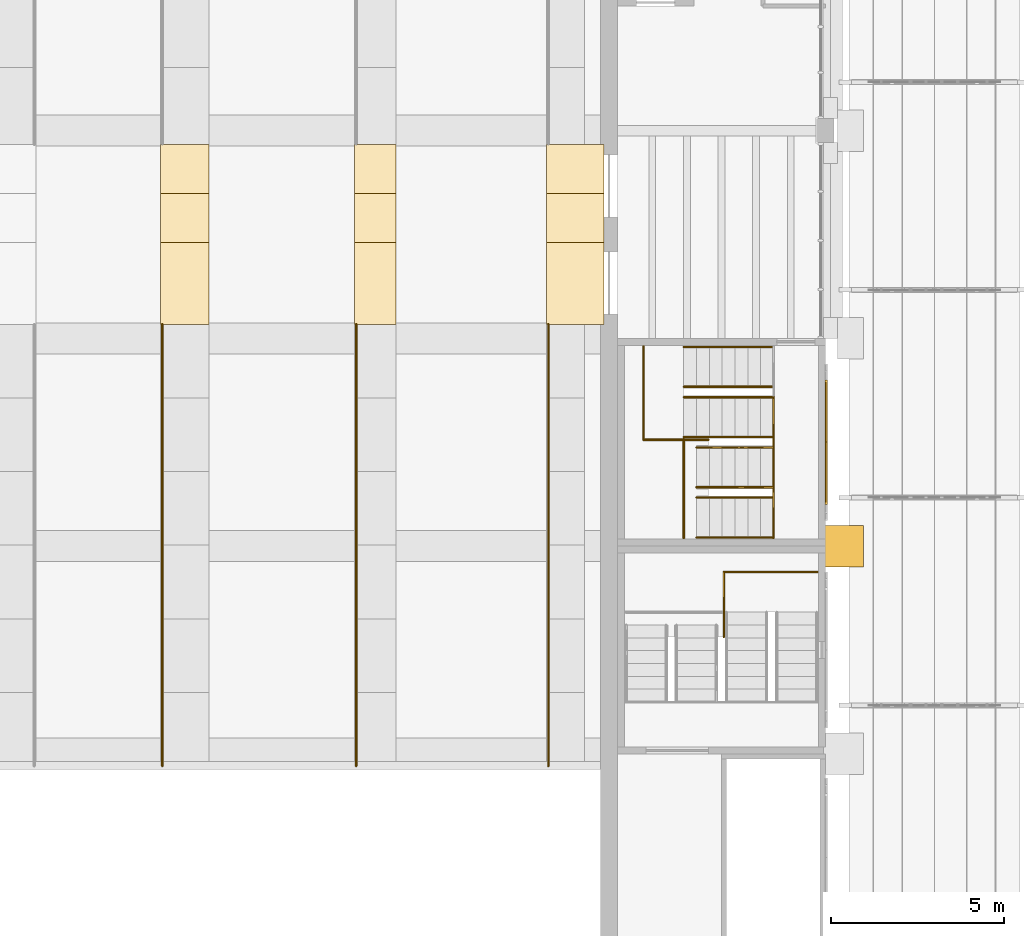
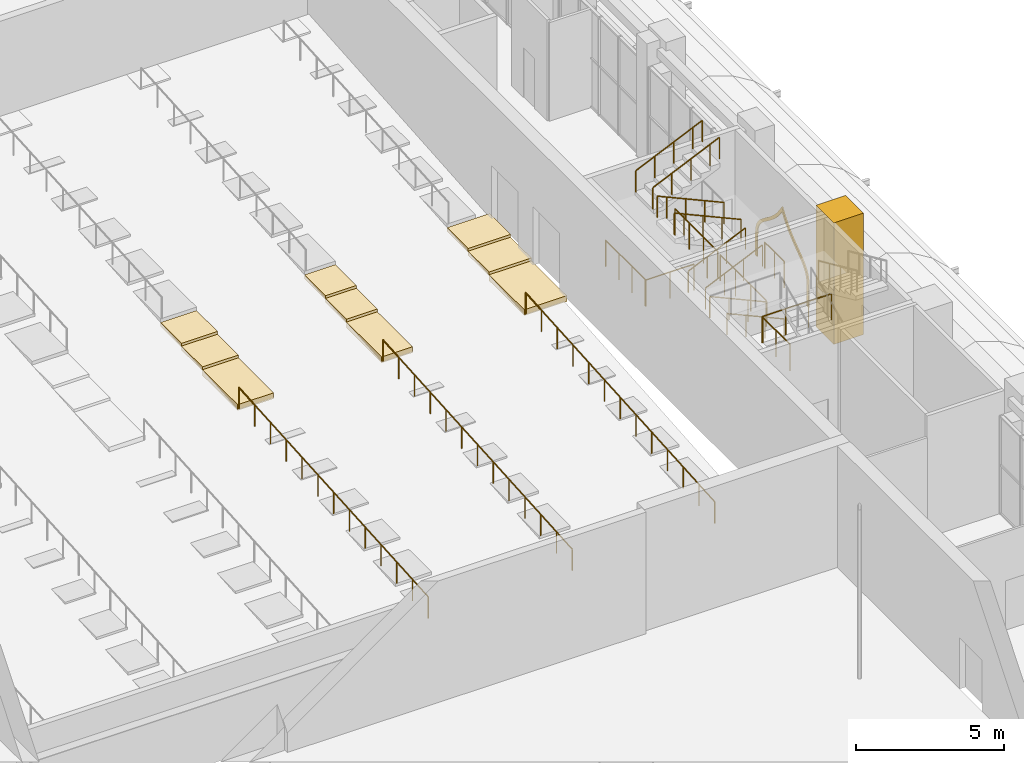
# One storey, part 71 of 80: 18 railings, 11 coverings.
"""IFC4 building model written with IfcOpenShell, lengths in metres."""

from ifc_helpers import new_model, si_unit, direction, frame, origin, origin_2d, place, context, subcontext, project, spatial, polyline, rectangle, circle, outline, extrude, material, layer, layer_set, type_object, element, save


model = new_model("IFC4")

# Units and contexts
model_context = context("Model", 3, precision=1e-05, world=origin(), true_north=direction((0.0, 1.0)))
body_context = subcontext(model_context, "Body", "Model", "MODEL_VIEW")
ifc_project = project(units=[si_unit("LENGTHUNIT", "METRE"), si_unit("AREAUNIT", "SQUARE_METRE"), si_unit("VOLUMEUNIT", "CUBIC_METRE"), si_unit("PLANEANGLEUNIT", "RADIAN"), si_unit("MASSUNIT", "GRAM", prefix="KILO")], contexts=[model_context])

# Site, building, storey
site_placement = place(None, origin())
site = spatial("IfcSite", under=ifc_project, at=site_placement, CompositionType="ELEMENT")
building_placement = place(site_placement, origin())
building = spatial("IfcBuilding", under=site, at=building_placement, Name="Saffron Lane Theatres", CompositionType="ELEMENT")
storey_placement = place(building_placement, frame((0.0, 0.0, 7.0)))
storey = spatial("IfcBuildingStorey", under=building, at=storey_placement, Name="L01", CompositionType="ELEMENT", Elevation=7.0)

# Coverings
ifc_material_1 = material(Name="Masonry sandstone", Category="masonry")
ifc_layer_1 = layer(ifc_material_1, 0.050048828125)
ifc_layer_set_1 = layer_set([ifc_layer_1], Name="Masonry sandstone")
covering_type_1 = type_object("IfcCoveringType", Name="EX-ARCH FRAME RING SANDSTONE 50", PredefinedType="CLADDING", material=ifc_layer_set_1)
covering_1_placement = place(storey_placement, frame((54.0, 67.2099609375, 1.2958984375), z_axis=(-1.0, 0.0, 0.0), x_axis=(0.0, 0.06442827163, 0.997922340573)))
element("IfcCovering", 1, at=covering_1_placement, inside=storey, type_object=covering_type_1, Name="Arch recess ring L01", PredefinedType="CLADDING", context=body_context, shape_type="SweptSolid", body=[
    extrude(outline(polyline([(0.0, 0.0), (0.17052029873114202, 1.734723475976807e-18), (0.3242466721669218, 0.024081254977071236), (0.46344242900309285, 0.06940650212296195), (0.5880131918886352, 0.13451394113409834), (0.7023363221821465, 0.21520657625605405), (0.8097754985831224, 0.31053329351799586), (0.9118316705185227, 0.41721675201932407), (1.013479573024326, 0.5327339305761084), (1.1188295145103184, 0.6563301599259349), (1.228274384393338, 0.786512180648223), (1.3482821771299438, 0.9211498609758806), (1.4813912939168246, 1.0578774753100109), (1.6295508018254126, 1.196569187182587), (1.7967137136804603, 1.3340339934919052), (1.986958878774747, 1.469029958207694), (2.2768445051640707, 1.6467673279258968), (2.012220549731055, 1.8603051727976225), (1.8409137730747478, 2.018643802332316), (1.692815086125706, 2.1764626573449113), (1.563719803123124, 2.333054606794249), (1.4492974018381697, 2.4857634525677375), (1.3475988151994112, 2.6347150311334024), (1.2558025099571002, 2.7778896671794207), (1.167220277835631, 2.914006625097878), (1.0812704747161264, 3.041635563702207), (0.9937798739547866, 3.160556618719107), (0.8994906084625739, 3.2689074104217855), (0.7964927602914423, 3.3636308117286897), (0.6813282733908765, 3.4442161363070785), (0.5491164405301731, 3.5070641116256507), (0.39976288435831203, 3.550712937380834), (0.2306582458924675, 3.5726399419344412), (-0.6634762731268586, 3.630367421641571), (-0.6712152159104848, 3.510499796748517), (0.21902116896597779, 3.4530239899774404), (0.37503252293367106, 3.4329209151187268), (0.50685251501477, 3.394318481277149), (0.6205328306841129, 3.340006413039703), (0.7222114932154338, 3.270322371595594), (0.8140812030640937, 3.185124790918292), (0.8998751087815435, 3.0853958945498916), (0.9836171809786733, 2.9728330766257725), (1.06683213819307, 2.84831649333063), (1.1541962033948943, 2.712278183204689), (1.248122290858553, 2.5679874475964257), (1.3515811898667036, 2.415986431955586), (1.4686755188227527, 2.2591906973371945), (1.6025567821592739, 2.097152126096779), (1.7564159829779704, 1.933823731059093), (1.9331924514444936, 1.7692603909060247), (2.069268862056587, 1.6601689117707128), (1.9202942134717833, 1.569481016084268), (1.723824337759122, 1.4290153595582635), (1.5502402705772806, 1.2868274911490194), (1.396634140877615, 1.143349798942504), (1.2603497505475334, 1.0029128051675502), (1.1382041360374564, 0.8654773607007713), (1.0265036474650626, 0.734462372469297), (0.9223718728987153, 0.6107874953269541), (0.8238363257020991, 0.4980051626752776), (0.7263151602560739, 0.39714513627761755), (0.6284094944910791, 0.3092763270207095), (0.5263470307322774, 0.23659947491203817), (0.41655191601325103, 0.1805686902487979), (0.29683144987863896, 0.14132553905751855), (0.16114198640572697, 0.11999416045256957), (0.0038408086407626125, 0.12011929782910696), (-0.8863955762357, 0.17759510460018418), (-0.8941345190193262, 0.057727479707130096), (0.0, 0.0)])), origin(), (0.0, 0.0, -1.0), 0.050048828125),
])
ifc_material_2 = material(Name="Masonry sandstone", Category="masonry")
ifc_layer_2 = layer(ifc_material_2, 1.199951171875)
ifc_layer_set_2 = layer_set([ifc_layer_2], Name="Masonry sandstone")
covering_type_2 = type_object("IfcCoveringType", Name="EX-FLANK BUTTRESS PIER SANDSTONE 1200", PredefinedType="CLADDING", material=ifc_layer_set_2)
covering_2_placement = place(storey_placement, frame((54.52490234375, 66.0, 0.0), z_axis=(0.0, 0.0, 1.0), x_axis=(0.0, 1.0, 0.0)))
element("IfcCovering", 2, at=covering_2_placement, inside=storey, type_object=covering_type_2, Name="Flank buttress east L01", PredefinedType="CLADDING", context=body_context, shape_type="SweptSolid", body=[
    extrude(rectangle(XDim=1.199951171875, YDim=1.14990234375, at=origin_2d()), origin(), (0.0, 0.0, 1.0), 5.0),
])
ifc_material_3 = material(Name="Cement screed", Category="screed")
covering_type_3 = type_object("IfcCoveringType", Name="VC-AISLE PLATFORM", PredefinedType="FLOORING", material=ifc_material_3)
covering_3_placement = place(storey_placement, frame((0.0, 0.0, -0.258056640625)))
element("IfcCovering", 3, at=covering_3_placement, inside=storey, type_object=covering_type_3, Name="Stalls aisle 4 part 1 landing 1", PredefinedType="FLOORING", context=body_context, shape_type="SweptSolid", body=[
    extrude(outline(polyline([(34.800048828125, 72.39990234375), (36.199951171875, 72.39990234375), (36.199951171875, 74.77490234375), (34.800048828125, 74.77490234375), (34.800048828125, 72.39990234375)])), origin(), (0.0, 0.0, 1.0), 0.239990234375),
])
covering_4_placement = place(storey_placement, frame((0.0, 0.0, -0.068115234375)))
element("IfcCovering", 4, at=covering_4_placement, inside=storey, type_object=covering_type_3, Name="Stalls aisle 4 part 1 landing 2", PredefinedType="FLOORING", context=body_context, shape_type="SweptSolid", body=[
    extrude(outline(polyline([(34.800048828125, 74.77490234375), (36.199951171875, 74.77490234375), (36.199951171875, 76.1875), (34.800048828125, 76.1875), (34.800048828125, 74.77490234375)])), origin(), (0.0, 0.0, 1.0), 0.1630859375),
])
covering_5_placement = place(storey_placement, frame((0.0, 0.0, 0.044921875)))
element("IfcCovering", 5, at=covering_5_placement, inside=storey, type_object=covering_type_3, Name="Stalls aisle 4 part 1 landing 3", PredefinedType="FLOORING", context=body_context, shape_type="SweptSolid", body=[
    extrude(outline(polyline([(34.800048828125, 76.1875), (36.199951171875, 76.1875), (36.199951171875, 77.60009765625), (34.800048828125, 77.60009765625), (34.800048828125, 76.1875)])), origin(), (0.0, 0.0, 1.0), 0.1630859375),
])
covering_6_placement = place(storey_placement, frame((0.0, 0.0, -0.258056640625)))
element("IfcCovering", 6, at=covering_6_placement, inside=storey, type_object=covering_type_3, Name="Stalls aisle 5 part 1 landing 1", PredefinedType="FLOORING", context=body_context, shape_type="SweptSolid", body=[
    extrude(outline(polyline([(40.39990234375, 72.39990234375), (41.60009765625, 72.39990234375), (41.60009765625, 74.77490234375), (40.39990234375, 74.77490234375), (40.39990234375, 72.39990234375)])), origin(), (0.0, 0.0, 1.0), 0.239990234375),
])
covering_7_placement = place(storey_placement, frame((0.0, 0.0, -0.068115234375)))
element("IfcCovering", 7, at=covering_7_placement, inside=storey, type_object=covering_type_3, Name="Stalls aisle 5 part 1 landing 2", PredefinedType="FLOORING", context=body_context, shape_type="SweptSolid", body=[
    extrude(outline(polyline([(40.39990234375, 74.77490234375), (41.60009765625, 74.77490234375), (41.60009765625, 76.1875), (40.39990234375, 76.1875), (40.39990234375, 74.77490234375)])), origin(), (0.0, 0.0, 1.0), 0.1630859375),
])
covering_8_placement = place(storey_placement, frame((0.0, 0.0, 0.044921875)))
element("IfcCovering", 8, at=covering_8_placement, inside=storey, type_object=covering_type_3, Name="Stalls aisle 5 part 1 landing 3", PredefinedType="FLOORING", context=body_context, shape_type="SweptSolid", body=[
    extrude(outline(polyline([(40.39990234375, 76.1875), (41.60009765625, 76.1875), (41.60009765625, 77.60009765625), (40.39990234375, 77.60009765625), (40.39990234375, 76.1875)])), origin(), (0.0, 0.0, 1.0), 0.1630859375),
])
covering_9_placement = place(storey_placement, frame((0.0, 0.0, -0.258056640625)))
element("IfcCovering", 9, at=covering_9_placement, inside=storey, type_object=covering_type_3, Name="Stalls aisle 6 part 1 landing 1", PredefinedType="FLOORING", context=body_context, shape_type="SweptSolid", body=[
    extrude(outline(polyline([(45.949951171875, 72.39990234375), (47.60009765625, 72.39990234375), (47.60009765625, 74.77490234375), (45.949951171875, 74.77490234375), (45.949951171875, 72.39990234375)])), origin(), (0.0, 0.0, 1.0), 0.239990234375),
])
covering_10_placement = place(storey_placement, frame((0.0, 0.0, -0.068115234375)))
element("IfcCovering", 10, at=covering_10_placement, inside=storey, type_object=covering_type_3, Name="Stalls aisle 6 part 1 landing 2", PredefinedType="FLOORING", context=body_context, shape_type="SweptSolid", body=[
    extrude(outline(polyline([(45.949951171875, 74.77490234375), (47.60009765625, 74.77490234375), (47.60009765625, 76.1875), (45.949951171875, 76.1875), (45.949951171875, 74.77490234375)])), origin(), (0.0, 0.0, 1.0), 0.1630859375),
])
covering_11_placement = place(storey_placement, frame((0.0, 0.0, 0.044921875)))
element("IfcCovering", 11, at=covering_11_placement, inside=storey, type_object=covering_type_3, Name="Stalls aisle 6 part 1 landing 3", PredefinedType="FLOORING", context=body_context, shape_type="SweptSolid", body=[
    extrude(outline(polyline([(45.949951171875, 76.1875), (47.60009765625, 76.1875), (47.60009765625, 77.60009765625), (45.949951171875, 77.60009765625), (45.949951171875, 76.1875)])), origin(), (0.0, 0.0, 1.0), 0.1630859375),
])

# Railings
ifc_material_4 = material(Name="Steel Grade 350", Category="steel")
railing_type_1 = type_object("IfcRailingType", Name="VC-GUARD 1100", PredefinedType="GUARDRAIL", material=ifc_material_4)
railing_1_placement = place(storey_placement, frame((48.75, 69.10009765625, 1.166748046875)))
element("IfcRailing", 12, at=railing_1_placement, inside=storey, type_object=railing_type_1, Name="Auditorium East Rear Stair landing guard 2N1s", PredefinedType="GUARDRAIL", context=body_context, shape_type="SweptSolid", body=[
    extrude(circle(Radius=0.02392578125, at=origin_2d()), frame((0.0, 0.0, 1.076171875), z_axis=(0.0, 1.0, 0.0), x_axis=(-1.0, 0.0, 0.0)), (0.0, 0.0, 1.0), 2.669921875),
    extrude(circle(Radius=0.02099609375, at=origin_2d()), origin(), (0.0, 0.0, 1.0), 1.052001953125),
    extrude(circle(Radius=0.02099609375, at=origin_2d()), frame((0.0, 0.889892578125, 0.0)), (0.0, 0.0, 1.0), 1.052001953125),
    extrude(circle(Radius=0.02099609375, at=origin_2d()), frame((0.0, 1.780029296875, 0.0)), (0.0, 0.0, 1.0), 1.052001953125),
    extrude(circle(Radius=0.02099609375, at=origin_2d()), frame((0.0, 2.669921875, 0.0)), (0.0, 0.0, 1.0), 1.052001953125),
])
railing_2_placement = place(storey_placement, frame((50.6298828125, 69.070068359375, 1.166748046875)))
element("IfcRailing", 13, at=railing_2_placement, inside=storey, type_object=railing_type_1, Name="Auditorium East Rear Stair landing guard 2N1e", PredefinedType="GUARDRAIL", context=body_context, shape_type="SweptSolid", body=[
    extrude(circle(Radius=0.02392578125, at=origin_2d()), frame((0.0, 0.0, 1.076171875), z_axis=(-1.0, 0.0, 0.0), x_axis=(0.0, -1.0, 0.0)), (0.0, 0.0, 1.0), 1.8798828125),
    extrude(circle(Radius=0.02099609375, at=origin_2d()), origin(), (0.0, 0.0, 1.0), 1.052001953125),
    extrude(circle(Radius=0.02099609375, at=origin_2d()), frame((-0.93994140625, 0.0, 0.0)), (0.0, 0.0, 1.0), 1.052001953125),
    extrude(circle(Radius=0.02099609375, at=origin_2d()), frame((-1.8798828125, 0.0, 0.0)), (0.0, 0.0, 1.0), 1.052001953125),
])
railing_3_placement = place(storey_placement, frame((49.909912109375, 66.22998046875, 3.666748046875)))
element("IfcRailing", 14, at=railing_3_placement, inside=storey, type_object=railing_type_1, Name="Auditorium East Rear Stair landing guard 2N2s", PredefinedType="GUARDRAIL", context=body_context, shape_type="SweptSolid", body=[
    extrude(circle(Radius=0.02392578125, at=origin_2d()), frame((0.0, 0.0, 1.076171875), z_axis=(0.0, 1.0, 0.0), x_axis=(-1.0, 0.0, 0.0)), (0.0, 0.0, 1.0), 2.8701171875),
    extrude(circle(Radius=0.02099609375, at=origin_2d()), origin(), (0.0, 0.0, 1.0), 1.052001953125),
    extrude(circle(Radius=0.02099609375, at=origin_2d()), frame((0.0, 0.956787109375, 0.0)), (0.0, 0.0, 1.0), 1.052001953125),
    extrude(circle(Radius=0.02099609375, at=origin_2d()), frame((0.0, 1.913330078125, 0.0)), (0.0, 0.0, 1.0), 1.052001953125),
    extrude(circle(Radius=0.02099609375, at=origin_2d()), frame((0.0, 2.8701171875, 0.0)), (0.0, 0.0, 1.0), 1.052001953125),
])
railing_4_placement = place(storey_placement, frame((52.5, 66.22998046875, 2.333251953125)))
element("IfcRailing", 15, at=railing_4_placement, inside=storey, type_object=railing_type_1, Name="Auditorium East Rear Stair landing guard 2S2w", PredefinedType="GUARDRAIL", context=body_context, shape_type="SweptSolid", body=[
    extrude(circle(Radius=0.02392578125, at=origin_2d()), frame((0.0, 0.0, 1.076171875), z_axis=(0.0, 1.0, 0.0), x_axis=(-1.0, 0.0, 0.0)), (0.0, 0.0, 1.0), 1.320068359375),
    extrude(circle(Radius=0.02099609375, at=origin_2d()), origin(), (0.0, 0.0, 1.0), 1.052001953125),
    extrude(circle(Radius=0.02099609375, at=origin_2d()), frame((0.0, 0.66015625, 0.0)), (0.0, 0.0, 1.0), 1.052001953125),
    extrude(circle(Radius=0.02099609375, at=origin_2d()), frame((0.0, 1.320068359375, 0.0)), (0.0, 0.0, 1.0), 1.052001953125),
])
railing_5_placement = place(storey_placement, frame((52.5, 67.449951171875, 0.0)))
element("IfcRailing", 16, at=railing_5_placement, inside=storey, type_object=railing_type_1, Name="Auditorium East Rear Stair guard L01", PredefinedType="GUARDRAIL", context=body_context, shape_type="SweptSolid", body=[
    extrude(circle(Radius=0.02392578125, at=origin_2d()), frame((0.0, 0.0, 1.076171875), z_axis=(0.0, 1.0, 0.0), x_axis=(-1.0, 0.0, 0.0)), (0.0, 0.0, 1.0), 3.10009765625),
    extrude(circle(Radius=0.02099609375, at=origin_2d()), origin(), (0.0, 0.0, 1.0), 1.052001953125),
    extrude(circle(Radius=0.02099609375, at=origin_2d()), frame((0.0, 1.033447265625, 0.0)), (0.0, 0.0, 1.0), 1.052001953125),
    extrude(circle(Radius=0.02099609375, at=origin_2d()), frame((0.0, 2.066650390625, 0.0)), (0.0, 0.0, 1.0), 1.052001953125),
    extrude(circle(Radius=0.02099609375, at=origin_2d()), frame((0.0, 3.10009765625, 0.0)), (0.0, 0.0, 1.0), 1.052001953125),
])
railing_6_placement = place(storey_placement, frame((51.10009765625, 65.25, 1.166748046875)))
element("IfcRailing", 17, at=railing_6_placement, inside=storey, type_object=railing_type_1, Name="Auditorium East Front Stair landing guard 2N1s", PredefinedType="GUARDRAIL", context=body_context, shape_type="SweptSolid", body=[
    extrude(circle(Radius=0.02392578125, at=origin_2d()), frame((0.0, 0.0, 1.076171875), z_axis=(1.0, 0.0, 0.0), x_axis=(0.0, 1.0, 0.0)), (0.0, 0.0, 1.0), 2.669921875),
    extrude(circle(Radius=0.02099609375, at=origin_2d()), origin(), (0.0, 0.0, 1.0), 1.052001953125),
    extrude(circle(Radius=0.02099609375, at=origin_2d()), frame((0.889892578125, 0.0, 0.0)), (0.0, 0.0, 1.0), 1.052001953125),
    extrude(circle(Radius=0.02099609375, at=origin_2d()), frame((1.780029296875, 0.0, 0.0)), (0.0, 0.0, 1.0), 1.052001953125),
    extrude(circle(Radius=0.02099609375, at=origin_2d()), frame((2.669921875, 0.0, 0.0)), (0.0, 0.0, 1.0), 1.052001953125),
])
railing_7_placement = place(storey_placement, frame((51.070068359375, 63.3701171875, 1.166748046875)))
element("IfcRailing", 18, at=railing_7_placement, inside=storey, type_object=railing_type_1, Name="Auditorium East Front Stair landing guard 2N1e", PredefinedType="GUARDRAIL", context=body_context, shape_type="SweptSolid", body=[
    extrude(circle(Radius=0.02392578125, at=origin_2d()), frame((0.0, 0.0, 1.076171875), z_axis=(0.0, 1.0, 0.0), x_axis=(-1.0, 0.0, 0.0)), (0.0, 0.0, 1.0), 1.8798828125),
    extrude(circle(Radius=0.02099609375, at=origin_2d()), origin(), (0.0, 0.0, 1.0), 1.052001953125),
    extrude(circle(Radius=0.02099609375, at=origin_2d()), frame((0.0, 0.93994140625, 0.0)), (0.0, 0.0, 1.0), 1.052001953125),
    extrude(circle(Radius=0.02099609375, at=origin_2d()), frame((0.0, 1.8798828125, 0.0)), (0.0, 0.0, 1.0), 1.052001953125),
])
ifc_material_5 = material(Name="Steel Grade 350", Category="steel")
railing_type_2 = type_object("IfcRailingType", Name="VC-HANDRAIL 900", PredefinedType="HANDRAIL", material=ifc_material_5)
for number, where, name in (
    (19, (52.5, 66.25, 0.166748046875), "Auditorium East Rear Stair handrail 2.1a"),
    (20, (52.5, 67.39990234375, 0.166748046875), "Auditorium East Rear Stair handrail 2.1b"),
):
    element("IfcRailing", number, at=place(storey_placement, frame(where)), inside=storey, type_object=railing_type_2, Name=name, PredefinedType="HANDRAIL", context=body_context, shape_type="SweptSolid", body=[
        extrude(circle(Radius=0.02392578125, at=origin_2d()), frame((0.0, 0.0, 0.8759765625), z_axis=(-0.911803263409, 0.0, 0.410627335715), x_axis=(0.0, -1.0, 0.0)), (0.0, 0.0, 1.0), 0.8115234375),
        extrude(circle(Radius=0.02392578125, at=origin_2d()), frame((-0.739990234375, 0.0, 1.208984375), z_axis=(-0.911803263409, 0.0, 0.410627335715), x_axis=(0.0, -1.0, 0.0)), (0.0, 0.0, 1.0), 0.8115234375),
        extrude(circle(Radius=0.02392578125, at=origin_2d()), frame((-1.47998046875, 0.0, 1.54248046875), z_axis=(-0.911690610408, 0.0, 0.410877391559), x_axis=(0.0, -1.0, 0.0)), (0.0, 0.0, 1.0), 0.811767578125),
        extrude(circle(Radius=0.02099609375, at=origin_2d()), origin(), (0.0, 0.0, 1.0), 0.851806640625),
        extrude(circle(Radius=0.02099609375, at=origin_2d()), frame((-0.739990234375, 0.0, 0.333251953125)), (0.0, 0.0, 1.0), 0.851806640625),
        extrude(circle(Radius=0.02099609375, at=origin_2d()), frame((-1.47998046875, 0.0, 0.66650390625)), (0.0, 0.0, 1.0), 0.851806640625),
        extrude(circle(Radius=0.02099609375, at=origin_2d()), frame((-2.219970703125, 0.0, 1.0)), (0.0, 0.0, 1.0), 0.851806640625),
    ])
for number, where, name in (
    (21, (50.280029296875, 67.699951171875, 1.333251953125), "Auditorium East Rear Stair handrail 2.2a"),
    (22, (50.280029296875, 68.85009765625, 1.333251953125), "Auditorium East Rear Stair handrail 2.2b"),
):
    element("IfcRailing", number, at=place(storey_placement, frame(where)), inside=storey, type_object=railing_type_2, Name=name, PredefinedType="HANDRAIL", context=body_context, shape_type="SweptSolid", body=[
        extrude(circle(Radius=0.02392578125, at=origin_2d()), frame((0.0, 0.0, 0.8759765625), z_axis=(0.911690610408, 0.0, 0.410877391559), x_axis=(0.0, 1.0, 0.0)), (0.0, 0.0, 1.0), 0.811767578125),
        extrude(circle(Radius=0.02392578125, at=origin_2d()), frame((0.739990234375, 0.0, 1.20947265625), z_axis=(0.911803263409, 0.0, 0.410627335715), x_axis=(0.0, 1.0, 0.0)), (0.0, 0.0, 1.0), 0.8115234375),
        extrude(circle(Radius=0.02392578125, at=origin_2d()), frame((1.47998046875, 0.0, 1.54248046875), z_axis=(0.911803263409, 0.0, 0.410627335715), x_axis=(0.0, 1.0, 0.0)), (0.0, 0.0, 1.0), 0.8115234375),
        extrude(circle(Radius=0.02099609375, at=origin_2d()), origin(), (0.0, 0.0, 1.0), 0.851806640625),
        extrude(circle(Radius=0.02099609375, at=origin_2d()), frame((0.739990234375, 0.0, 0.33349609375)), (0.0, 0.0, 1.0), 0.851806640625),
        extrude(circle(Radius=0.02099609375, at=origin_2d()), frame((1.47998046875, 0.0, 0.666748046875)), (0.0, 0.0, 1.0), 0.851806640625),
        extrude(circle(Radius=0.02099609375, at=origin_2d()), frame((2.219970703125, 0.0, 1.0)), (0.0, 0.0, 1.0), 0.851806640625),
    ])
for number, where, name in (
    (23, (52.5, 69.14990234375, 2.5), "Auditorium East Rear Stair handrail 2.3a"),
    (24, (52.5, 70.300048828125, 2.5), "Auditorium East Rear Stair handrail 2.3b"),
):
    element("IfcRailing", number, at=place(storey_placement, frame(where)), inside=storey, type_object=railing_type_2, Name=name, PredefinedType="HANDRAIL", context=body_context, shape_type="SweptSolid", body=[
        extrude(circle(Radius=0.02392578125, at=origin_2d()), frame((0.0, 0.0, 0.8759765625), z_axis=(-0.911803263409, 0.0, 0.410627335715), x_axis=(0.0, -1.0, 0.0)), (0.0, 0.0, 1.0), 0.8115234375),
        extrude(circle(Radius=0.02392578125, at=origin_2d()), frame((-0.739990234375, 0.0, 1.208984375), z_axis=(-0.911690610408, 0.0, 0.410877391559), x_axis=(0.0, -1.0, 0.0)), (0.0, 0.0, 1.0), 0.811767578125),
        extrude(circle(Radius=0.02392578125, at=origin_2d()), frame((-1.47998046875, 0.0, 1.54248046875), z_axis=(-0.911803263409, 0.0, 0.410627335715), x_axis=(0.0, -1.0, 0.0)), (0.0, 0.0, 1.0), 0.8115234375),
        extrude(circle(Radius=0.02392578125, at=origin_2d()), frame((-2.219970703125, 0.0, 1.8759765625), z_axis=(-0.911741368748, 0.0, 0.410764745947), x_axis=(0.0, -1.0, 0.0)), (0.0, 0.0, 1.0), 0.406005859375),
        extrude(circle(Radius=0.02099609375, at=origin_2d()), origin(), (0.0, 0.0, 1.0), 0.851806640625),
        extrude(circle(Radius=0.02099609375, at=origin_2d()), frame((-0.739990234375, 0.0, 0.333251953125)), (0.0, 0.0, 1.0), 0.851806640625),
        extrude(circle(Radius=0.02099609375, at=origin_2d()), frame((-1.47998046875, 0.0, 0.666748046875)), (0.0, 0.0, 1.0), 0.851806640625),
        extrude(circle(Radius=0.02099609375, at=origin_2d()), frame((-2.219970703125, 0.0, 1.0)), (0.0, 0.0, 1.0), 0.851806640625),
        extrude(circle(Radius=0.02099609375, at=origin_2d()), frame((-2.590087890625, 0.0, 1.166748046875)), (0.0, 0.0, 1.0), 0.851806640625),
    ])
for number, where, name in (
    (25, (49.909912109375, 70.60009765625, 3.833251953125), "Auditorium East Rear Stair handrail 2.4a"),
    (26, (49.909912109375, 71.75, 3.833251953125), "Auditorium East Rear Stair handrail 2.4b"),
):
    element("IfcRailing", number, at=place(storey_placement, frame(where)), inside=storey, type_object=railing_type_2, Name=name, PredefinedType="HANDRAIL", context=body_context, shape_type="SweptSolid", body=[
        extrude(circle(Radius=0.02392578125, at=origin_2d()), frame((0.0, 0.0, 0.8759765625), z_axis=(0.911690610408, 0.0, 0.410877391559), x_axis=(0.0, 1.0, 0.0)), (0.0, 0.0, 1.0), 0.811767578125),
        extrude(circle(Radius=0.02392578125, at=origin_2d()), frame((0.739990234375, 0.0, 1.20947265625), z_axis=(0.911803263409, 0.0, 0.410627335715), x_axis=(0.0, 1.0, 0.0)), (0.0, 0.0, 1.0), 0.8115234375),
        extrude(circle(Radius=0.02392578125, at=origin_2d()), frame((1.47998046875, 0.0, 1.54248046875), z_axis=(0.911803263409, 0.0, 0.410627335715), x_axis=(0.0, 1.0, 0.0)), (0.0, 0.0, 1.0), 0.8115234375),
        extrude(circle(Radius=0.02392578125, at=origin_2d()), frame((2.219970703125, 0.0, 1.8759765625), z_axis=(0.911741368748, 0.0, 0.410764745947), x_axis=(0.0, 1.0, 0.0)), (0.0, 0.0, 1.0), 0.406005859375),
        extrude(circle(Radius=0.02099609375, at=origin_2d()), origin(), (0.0, 0.0, 1.0), 0.851806640625),
        extrude(circle(Radius=0.02099609375, at=origin_2d()), frame((0.739990234375, 0.0, 0.33349609375)), (0.0, 0.0, 1.0), 0.851806640625),
        extrude(circle(Radius=0.02099609375, at=origin_2d()), frame((1.47998046875, 0.0, 0.666748046875)), (0.0, 0.0, 1.0), 0.851806640625),
        extrude(circle(Radius=0.02099609375, at=origin_2d()), frame((2.219970703125, 0.0, 1.0)), (0.0, 0.0, 1.0), 0.851806640625),
        extrude(circle(Radius=0.02099609375, at=origin_2d()), frame((2.590087890625, 0.0, 1.166748046875)), (0.0, 0.0, 1.0), 0.851806640625),
    ])
railing_8_placement = place(storey_placement, frame((34.85009765625, 59.64990234375, -1.082275390625)))
element("IfcRailing", 27, at=railing_8_placement, inside=storey, type_object=railing_type_2, Name="Stalls aisle 4 part 1 handrail", PredefinedType="HANDRAIL", context=body_context, shape_type="SweptSolid", body=[
    extrude(circle(Radius=0.02392578125, at=origin_2d()), frame((0.0, 0.0, 0.8759765625), z_axis=(0.0, 0.997656031066, 0.068428383565), x_axis=(-1.0, 0.0, 0.0)), (0.0, 0.0, 1.0), 4.260009765625),
    extrude(circle(Radius=0.02392578125, at=origin_2d()), frame((0.0, 4.25, 1.16748046875), z_axis=(0.0, 0.997659941903, 0.068371341377), x_axis=(-1.0, 0.0, 0.0)), (0.0, 0.0, 1.0), 4.260009765625),
    extrude(circle(Radius=0.02392578125, at=origin_2d()), frame((0.0, 8.5, 1.45849609375), z_axis=(0.0, 0.997656031066, 0.068428383565), x_axis=(-1.0, 0.0, 0.0)), (0.0, 0.0, 1.0), 4.260009765625),
    extrude(circle(Radius=0.02099609375, at=origin_2d()), origin(), (0.0, 0.0, 1.0), 0.851806640625),
    extrude(circle(Radius=0.02099609375, at=origin_2d()), frame((0.0, 1.0625, 0.07275390625)), (0.0, 0.0, 1.0), 0.851806640625),
    extrude(circle(Radius=0.02099609375, at=origin_2d()), frame((0.0, 2.125, 0.145751953125)), (0.0, 0.0, 1.0), 0.851806640625),
    extrude(circle(Radius=0.02099609375, at=origin_2d()), frame((0.0, 3.1875, 0.21875)), (0.0, 0.0, 1.0), 0.851806640625),
    extrude(circle(Radius=0.02099609375, at=origin_2d()), frame((0.0, 4.25, 0.29150390625)), (0.0, 0.0, 1.0), 0.851806640625),
    extrude(circle(Radius=0.02099609375, at=origin_2d()), frame((0.0, 5.3125, 0.3642578125)), (0.0, 0.0, 1.0), 0.851806640625),
    extrude(circle(Radius=0.02099609375, at=origin_2d()), frame((0.0, 6.375, 0.43701171875)), (0.0, 0.0, 1.0), 0.851806640625),
    extrude(circle(Radius=0.02099609375, at=origin_2d()), frame((0.0, 7.4375, 0.510009765625)), (0.0, 0.0, 1.0), 0.851806640625),
    extrude(circle(Radius=0.02099609375, at=origin_2d()), frame((0.0, 8.5, 0.582763671875)), (0.0, 0.0, 1.0), 0.851806640625),
    extrude(circle(Radius=0.02099609375, at=origin_2d()), frame((0.0, 9.5625, 0.65576171875)), (0.0, 0.0, 1.0), 0.851806640625),
    extrude(circle(Radius=0.02099609375, at=origin_2d()), frame((0.0, 10.625, 0.728515625)), (0.0, 0.0, 1.0), 0.851806640625),
    extrude(circle(Radius=0.02099609375, at=origin_2d()), frame((0.0, 11.6875, 0.80126953125)), (0.0, 0.0, 1.0), 0.851806640625),
    extrude(circle(Radius=0.02099609375, at=origin_2d()), frame((0.0, 12.75, 0.874267578125)), (0.0, 0.0, 1.0), 0.851806640625),
])
railing_9_placement = place(storey_placement, frame((40.449951171875, 59.64990234375, -1.082275390625)))
element("IfcRailing", 28, at=railing_9_placement, inside=storey, type_object=railing_type_2, Name="Stalls aisle 5 part 1 handrail", PredefinedType="HANDRAIL", context=body_context, shape_type="SweptSolid", body=[
    extrude(circle(Radius=0.02392578125, at=origin_2d()), frame((0.0, 0.0, 0.8759765625), z_axis=(0.0, 0.997656031066, 0.068428383565), x_axis=(-1.0, 0.0, 0.0)), (0.0, 0.0, 1.0), 4.260009765625),
    extrude(circle(Radius=0.02392578125, at=origin_2d()), frame((0.0, 4.25, 1.16748046875), z_axis=(0.0, 0.997659941903, 0.068371341377), x_axis=(-1.0, 0.0, 0.0)), (0.0, 0.0, 1.0), 4.260009765625),
    extrude(circle(Radius=0.02392578125, at=origin_2d()), frame((0.0, 8.5, 1.45849609375), z_axis=(0.0, 0.997656031066, 0.068428383565), x_axis=(-1.0, 0.0, 0.0)), (0.0, 0.0, 1.0), 4.260009765625),
    extrude(circle(Radius=0.02099609375, at=origin_2d()), origin(), (0.0, 0.0, 1.0), 0.851806640625),
    extrude(circle(Radius=0.02099609375, at=origin_2d()), frame((0.0, 1.0625, 0.07275390625)), (0.0, 0.0, 1.0), 0.851806640625),
    extrude(circle(Radius=0.02099609375, at=origin_2d()), frame((0.0, 2.125, 0.145751953125)), (0.0, 0.0, 1.0), 0.851806640625),
    extrude(circle(Radius=0.02099609375, at=origin_2d()), frame((0.0, 3.1875, 0.21875)), (0.0, 0.0, 1.0), 0.851806640625),
    extrude(circle(Radius=0.02099609375, at=origin_2d()), frame((0.0, 4.25, 0.29150390625)), (0.0, 0.0, 1.0), 0.851806640625),
    extrude(circle(Radius=0.02099609375, at=origin_2d()), frame((0.0, 5.3125, 0.3642578125)), (0.0, 0.0, 1.0), 0.851806640625),
    extrude(circle(Radius=0.02099609375, at=origin_2d()), frame((0.0, 6.375, 0.43701171875)), (0.0, 0.0, 1.0), 0.851806640625),
    extrude(circle(Radius=0.02099609375, at=origin_2d()), frame((0.0, 7.4375, 0.510009765625)), (0.0, 0.0, 1.0), 0.851806640625),
    extrude(circle(Radius=0.02099609375, at=origin_2d()), frame((0.0, 8.5, 0.582763671875)), (0.0, 0.0, 1.0), 0.851806640625),
    extrude(circle(Radius=0.02099609375, at=origin_2d()), frame((0.0, 9.5625, 0.65576171875)), (0.0, 0.0, 1.0), 0.851806640625),
    extrude(circle(Radius=0.02099609375, at=origin_2d()), frame((0.0, 10.625, 0.728515625)), (0.0, 0.0, 1.0), 0.851806640625),
    extrude(circle(Radius=0.02099609375, at=origin_2d()), frame((0.0, 11.6875, 0.80126953125)), (0.0, 0.0, 1.0), 0.851806640625),
    extrude(circle(Radius=0.02099609375, at=origin_2d()), frame((0.0, 12.75, 0.874267578125)), (0.0, 0.0, 1.0), 0.851806640625),
])
railing_10_placement = place(storey_placement, frame((46.0, 59.64990234375, -1.082275390625)))
element("IfcRailing", 29, at=railing_10_placement, inside=storey, type_object=railing_type_2, Name="Stalls aisle 6 part 1 handrail", PredefinedType="HANDRAIL", context=body_context, shape_type="SweptSolid", body=[
    extrude(circle(Radius=0.02392578125, at=origin_2d()), frame((0.0, 0.0, 0.8759765625), z_axis=(0.0, 0.997656031066, 0.068428383565), x_axis=(-1.0, 0.0, 0.0)), (0.0, 0.0, 1.0), 4.260009765625),
    extrude(circle(Radius=0.02392578125, at=origin_2d()), frame((0.0, 4.25, 1.16748046875), z_axis=(0.0, 0.997659941903, 0.068371341377), x_axis=(-1.0, 0.0, 0.0)), (0.0, 0.0, 1.0), 4.260009765625),
    extrude(circle(Radius=0.02392578125, at=origin_2d()), frame((0.0, 8.5, 1.45849609375), z_axis=(0.0, 0.997656031066, 0.068428383565), x_axis=(-1.0, 0.0, 0.0)), (0.0, 0.0, 1.0), 4.260009765625),
    extrude(circle(Radius=0.02099609375, at=origin_2d()), origin(), (0.0, 0.0, 1.0), 0.851806640625),
    extrude(circle(Radius=0.02099609375, at=origin_2d()), frame((0.0, 1.0625, 0.07275390625)), (0.0, 0.0, 1.0), 0.851806640625),
    extrude(circle(Radius=0.02099609375, at=origin_2d()), frame((0.0, 2.125, 0.145751953125)), (0.0, 0.0, 1.0), 0.851806640625),
    extrude(circle(Radius=0.02099609375, at=origin_2d()), frame((0.0, 3.1875, 0.21875)), (0.0, 0.0, 1.0), 0.851806640625),
    extrude(circle(Radius=0.02099609375, at=origin_2d()), frame((0.0, 4.25, 0.29150390625)), (0.0, 0.0, 1.0), 0.851806640625),
    extrude(circle(Radius=0.02099609375, at=origin_2d()), frame((0.0, 5.3125, 0.3642578125)), (0.0, 0.0, 1.0), 0.851806640625),
    extrude(circle(Radius=0.02099609375, at=origin_2d()), frame((0.0, 6.375, 0.43701171875)), (0.0, 0.0, 1.0), 0.851806640625),
    extrude(circle(Radius=0.02099609375, at=origin_2d()), frame((0.0, 7.4375, 0.510009765625)), (0.0, 0.0, 1.0), 0.851806640625),
    extrude(circle(Radius=0.02099609375, at=origin_2d()), frame((0.0, 8.5, 0.582763671875)), (0.0, 0.0, 1.0), 0.851806640625),
    extrude(circle(Radius=0.02099609375, at=origin_2d()), frame((0.0, 9.5625, 0.65576171875)), (0.0, 0.0, 1.0), 0.851806640625),
    extrude(circle(Radius=0.02099609375, at=origin_2d()), frame((0.0, 10.625, 0.728515625)), (0.0, 0.0, 1.0), 0.851806640625),
    extrude(circle(Radius=0.02099609375, at=origin_2d()), frame((0.0, 11.6875, 0.80126953125)), (0.0, 0.0, 1.0), 0.851806640625),
    extrude(circle(Radius=0.02099609375, at=origin_2d()), frame((0.0, 12.75, 0.874267578125)), (0.0, 0.0, 1.0), 0.851806640625),
])

save(model, "model.ifc")
